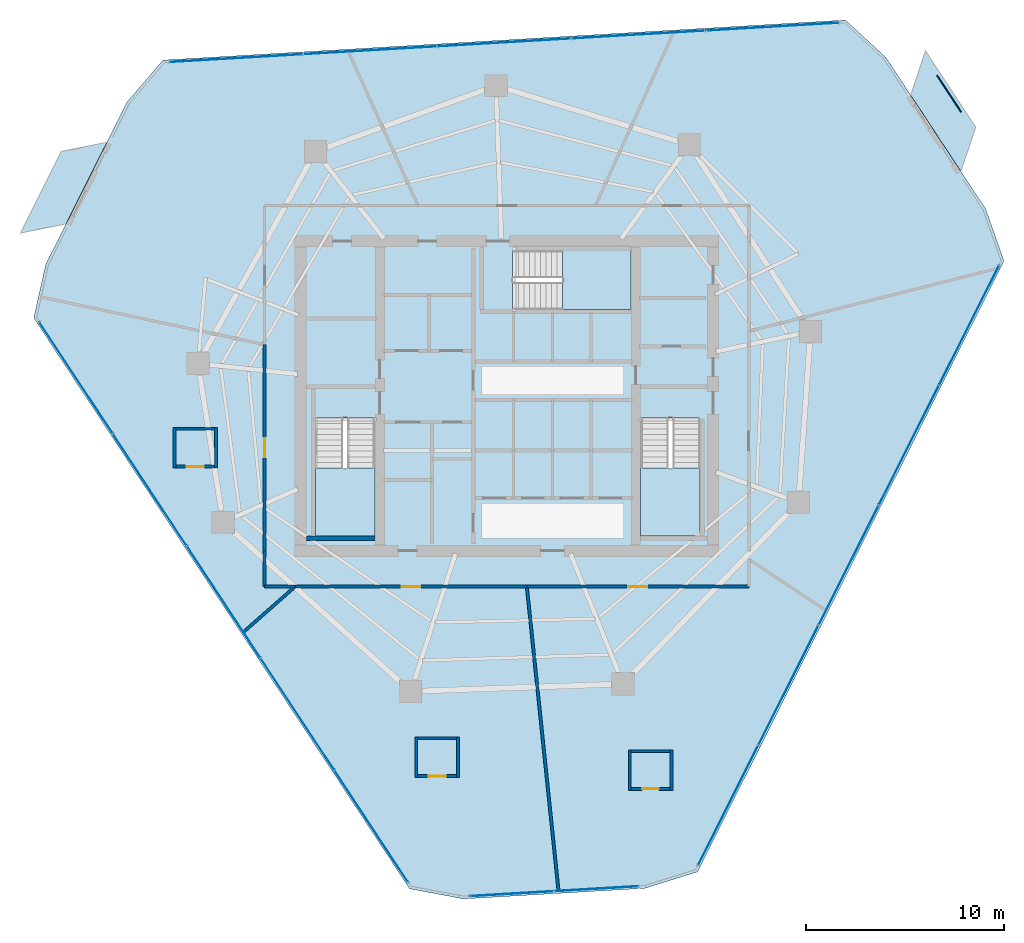
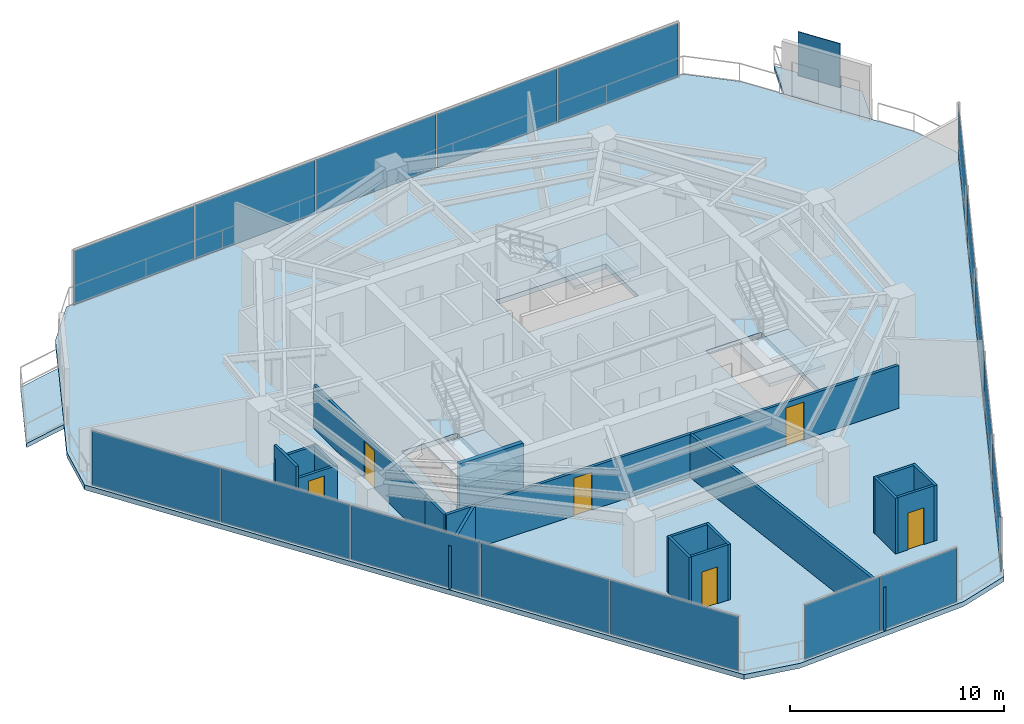
# One storey, part 24 of 30: 20 walls, 18 plates, 6 doors, 6 slabs, 6 openings, 7 elements without a shape of their own.
"""IFC4 building model written with IfcOpenShell, lengths in metres."""

from ifc_helpers import new_model, si_unit, direction, frame, frame_2d, origin, origin_2d, place, context, subcontext, project, spatial, polyline, rectangle, outline, extrude, material, layer, layer_set, type_object, element, fill, aggregate, save


model = new_model("IFC4")

# Units and contexts
model_context = context("Model", 3, precision=1e-05, world=origin(), true_north=direction((0.0, 1.0)))
body_context = subcontext(model_context, "Body", "Model", "MODEL_VIEW")
ifc_project = project(units=[si_unit("LENGTHUNIT", "METRE"), si_unit("AREAUNIT", "SQUARE_METRE"), si_unit("VOLUMEUNIT", "CUBIC_METRE"), si_unit("PLANEANGLEUNIT", "RADIAN"), si_unit("MASSUNIT", "GRAM", prefix="KILO")], contexts=[model_context])

# Site, building, storey
site_placement = place(None, origin())
site = spatial("IfcSite", under=ifc_project, at=site_placement, CompositionType="ELEMENT")
building_placement = place(site_placement, origin())
building = spatial("IfcBuilding", under=site, at=building_placement, Name="Qarnah Convention Tower", CompositionType="ELEMENT")
storey_placement = place(building_placement, frame((0.0, 0.0, 79.800048828125)))
storey = spatial("IfcBuildingStorey", under=building, at=storey_placement, Name="L20", CompositionType="ELEMENT", Elevation=79.800048828125)

# Curtain wall, plates
ifc_material_1 = material(Name="Tempered Low-E dark glass", Category="glass")
ifc_layer_1 = layer(ifc_material_1, 0.169921875)
ifc_layer_set_1 = layer_set([ifc_layer_1], Name="Tempered Low-E dark glass")
curtain_wall_type = type_object("IfcCurtainWallType", Name="CWS-02", PredefinedType="NOTDEFINED", material=ifc_layer_set_1)
curtain_wall_1_placement = place(storey_placement, origin())
curtain_wall_1 = element("IfcCurtainWall", 1, at=curtain_wall_1_placement, inside=storey, type_object=curtain_wall_type, Name="L20 unitised curtain wall CW-L20-F1", PredefinedType="NOTDEFINED")
ifc_layer_2 = layer(ifc_material_1, 0.030029296875)
ifc_layer_set_2 = layer_set([ifc_layer_2], Name="Tempered Low-E dark glass")
plate_type_1 = type_object("IfcPlateType", Name="PNL-T2", PredefinedType="CURTAIN_PANEL", material=ifc_layer_set_2)
plate_1_placement = place(storey_placement, frame((23.56201171875, 43.430419921875, 0.0400390625), z_axis=(0.0, 0.0, 1.0), x_axis=(0.998280582188, 0.058616373356, 0.0)))
plate_1 = element("IfcPlate", 2, at=plate_1_placement, type_object=plate_type_1, Name="CW-L20-F1 curtain panel 1.1", PredefinedType="CURTAIN_PANEL", context=body_context, shape_type="SweptSolid", body=[
    extrude(rectangle(XDim=6.689453125, YDim=0.030029296875, at=origin_2d()), origin(), (0.0, 0.0, 1.0), 3.090087890625),
])
plate_2_placement = place(storey_placement, frame((30.319580078125, 43.8271484375, 0.0400390625), z_axis=(0.0, 0.0, 1.0), x_axis=(0.998280582188, 0.058616373356, 0.0)))
plate_2 = element("IfcPlate", 3, at=plate_2_placement, type_object=plate_type_1, Name="CW-L20-F1 curtain panel 2.1", PredefinedType="CURTAIN_PANEL", context=body_context, shape_type="SweptSolid", body=[
    extrude(rectangle(XDim=6.689453125, YDim=0.030029296875, at=origin_2d()), origin(), (0.0, 0.0, 1.0), 3.090087890625),
])
plate_3_placement = place(storey_placement, frame((37.077392578125, 44.22412109375, 0.0400390625), z_axis=(0.0, 0.0, 1.0), x_axis=(0.998280582188, 0.058616373356, 0.0)))
plate_3 = element("IfcPlate", 4, at=plate_3_placement, type_object=plate_type_1, Name="CW-L20-F1 curtain panel 3.1", PredefinedType="CURTAIN_PANEL", context=body_context, shape_type="SweptSolid", body=[
    extrude(rectangle(XDim=6.689453125, YDim=0.030029296875, at=origin_2d()), origin(), (0.0, 0.0, 1.0), 3.090087890625),
])
plate_4_placement = place(storey_placement, frame((43.835205078125, 44.620849609375, 0.0400390625), z_axis=(0.0, 0.0, 1.0), x_axis=(0.998280582188, 0.058616373356, 0.0)))
plate_4 = element("IfcPlate", 5, at=plate_4_placement, type_object=plate_type_1, Name="CW-L20-F1 curtain panel 4.1", PredefinedType="CURTAIN_PANEL", context=body_context, shape_type="SweptSolid", body=[
    extrude(rectangle(XDim=6.689453125, YDim=0.030029296875, at=origin_2d()), origin(), (0.0, 0.0, 1.0), 3.090087890625),
])
plate_5_placement = place(storey_placement, frame((50.593017578125, 45.017578125, 0.0400390625), z_axis=(0.0, 0.0, 1.0), x_axis=(0.998280582188, 0.058616373356, 0.0)))
plate_5 = element("IfcPlate", 6, at=plate_5_placement, type_object=plate_type_1, Name="CW-L20-F1 curtain panel 5.1", PredefinedType="CURTAIN_PANEL", context=body_context, shape_type="SweptSolid", body=[
    extrude(rectangle(XDim=6.689453125, YDim=0.030029296875, at=origin_2d()), origin(), (0.0, 0.0, 1.0), 3.090087890625),
])
aggregate(curtain_wall_1, [plate_1, plate_2, plate_3, plate_4, plate_5])

curtain_wall_2_placement = place(storey_placement, origin())
curtain_wall_2 = element("IfcCurtainWall", 7, at=curtain_wall_2_placement, inside=storey, type_object=curtain_wall_type, Name="L20 unitised curtain wall CW-L20-F2", PredefinedType="NOTDEFINED")
plate_6_placement = place(storey_placement, frame((60.500244140625, 29.968505859375, 0.0400390625), z_axis=(0.0, 0.0, 1.0), x_axis=(-0.44839497881, -0.893835523448, 0.0)))
plate_6 = element("IfcPlate", 8, at=plate_6_placement, type_object=plate_type_1, Name="CW-L20-F2 curtain panel 1.1", PredefinedType="CURTAIN_PANEL", context=body_context, shape_type="SweptSolid", body=[
    extrude(rectangle(XDim=6.689453125, YDim=0.030029296875, at=origin_2d()), origin(), (0.0, 0.0, 1.0), 3.090087890625),
])
plate_7_placement = place(storey_placement, frame((57.46484375, 23.917724609375, 0.0400390625), z_axis=(0.0, 0.0, 1.0), x_axis=(-0.44839497881, -0.893835523448, 0.0)))
plate_7 = element("IfcPlate", 9, at=plate_7_placement, type_object=plate_type_1, Name="CW-L20-F2 curtain panel 2.1", PredefinedType="CURTAIN_PANEL", context=body_context, shape_type="SweptSolid", body=[
    extrude(rectangle(XDim=6.689453125, YDim=0.030029296875, at=origin_2d()), origin(), (0.0, 0.0, 1.0), 3.090087890625),
])
plate_8_placement = place(storey_placement, frame((54.429443359375, 17.866943359375, 0.0400390625), z_axis=(0.0, 0.0, 1.0), x_axis=(-0.44839497881, -0.893835523448, 0.0)))
plate_8 = element("IfcPlate", 10, at=plate_8_placement, type_object=plate_type_1, Name="CW-L20-F2 curtain panel 3.1", PredefinedType="CURTAIN_PANEL", context=body_context, shape_type="SweptSolid", body=[
    extrude(rectangle(XDim=6.689453125, YDim=0.030029296875, at=origin_2d()), origin(), (0.0, 0.0, 1.0), 3.090087890625),
])
plate_9_placement = place(storey_placement, frame((51.39404296875, 11.816162109375, 0.0400390625), z_axis=(0.0, 0.0, 1.0), x_axis=(-0.44839497881, -0.893835523448, 0.0)))
plate_9 = element("IfcPlate", 11, at=plate_9_placement, type_object=plate_type_1, Name="CW-L20-F2 curtain panel 4.1", PredefinedType="CURTAIN_PANEL", context=body_context, shape_type="SweptSolid", body=[
    extrude(rectangle(XDim=6.689453125, YDim=0.030029296875, at=origin_2d()), origin(), (0.0, 0.0, 1.0), 3.090087890625),
])
plate_10_placement = place(storey_placement, frame((48.358642578125, 5.765380859375, 0.0400390625), z_axis=(0.0, 0.0, 1.0), x_axis=(-0.44839497881, -0.893835523448, 0.0)))
plate_10 = element("IfcPlate", 12, at=plate_10_placement, type_object=plate_type_1, Name="CW-L20-F2 curtain panel 5.1", PredefinedType="CURTAIN_PANEL", context=body_context, shape_type="SweptSolid", body=[
    extrude(rectangle(XDim=6.689453125, YDim=0.030029296875, at=origin_2d()), origin(), (0.0, 0.0, 1.0), 3.090087890625),
])
aggregate(curtain_wall_2, [plate_6, plate_7, plate_8, plate_9, plate_10])

curtain_wall_3_placement = place(storey_placement, origin())
curtain_wall_3 = element("IfcCurtainWall", 13, at=curtain_wall_3_placement, inside=storey, type_object=curtain_wall_type, Name="L20 unitised curtain wall CW-L20-F3", PredefinedType="NOTDEFINED")
plate_11_placement = place(storey_placement, frame((30.372802734375, 4.7099609375, 0.0400390625), z_axis=(0.0, 0.0, 1.0), x_axis=(-0.549904609076, 0.835227466572, 0.0)))
plate_11 = element("IfcPlate", 14, at=plate_11_placement, type_object=plate_type_1, Name="CW-L20-F3 curtain panel 1.1", PredefinedType="CURTAIN_PANEL", context=body_context, shape_type="SweptSolid", body=[
    extrude(rectangle(XDim=6.689208984375, YDim=0.030029296875, at=origin_2d()), origin(), (0.0, 0.0, 1.0), 3.090087890625),
])
plate_12_placement = place(storey_placement, frame((26.650390625, 10.36376953125, 0.0400390625), z_axis=(0.0, 0.0, 1.0), x_axis=(-0.549904609076, 0.835227466572, 0.0)))
plate_12 = element("IfcPlate", 15, at=plate_12_placement, type_object=plate_type_1, Name="CW-L20-F3 curtain panel 2.1", PredefinedType="CURTAIN_PANEL", context=body_context, shape_type="SweptSolid", body=[
    extrude(rectangle(XDim=6.689208984375, YDim=0.030029296875, at=origin_2d()), origin(), (0.0, 0.0, 1.0), 3.090087890625),
])
plate_13_placement = place(storey_placement, frame((22.927978515625, 16.017578125, 0.0400390625), z_axis=(0.0, 0.0, 1.0), x_axis=(-0.549904609076, 0.835227466572, 0.0)))
plate_13 = element("IfcPlate", 16, at=plate_13_placement, type_object=plate_type_1, Name="CW-L20-F3 curtain panel 3.1", PredefinedType="CURTAIN_PANEL", context=body_context, shape_type="SweptSolid", body=[
    extrude(rectangle(XDim=6.689208984375, YDim=0.030029296875, at=origin_2d()), origin(), (0.0, 0.0, 1.0), 3.090087890625),
])
plate_14_placement = place(storey_placement, frame((19.20556640625, 21.67138671875, 0.0400390625), z_axis=(0.0, 0.0, 1.0), x_axis=(-0.549904609076, 0.835227466572, 0.0)))
plate_14 = element("IfcPlate", 17, at=plate_14_placement, type_object=plate_type_1, Name="CW-L20-F3 curtain panel 4.1", PredefinedType="CURTAIN_PANEL", context=body_context, shape_type="SweptSolid", body=[
    extrude(rectangle(XDim=6.689208984375, YDim=0.030029296875, at=origin_2d()), origin(), (0.0, 0.0, 1.0), 3.090087890625),
])
plate_15_placement = place(storey_placement, frame((15.483154296875, 27.3251953125, 0.0400390625), z_axis=(0.0, 0.0, 1.0), x_axis=(-0.549904609076, 0.835227466572, 0.0)))
plate_15 = element("IfcPlate", 18, at=plate_15_placement, type_object=plate_type_1, Name="CW-L20-F3 curtain panel 5.1", PredefinedType="CURTAIN_PANEL", context=body_context, shape_type="SweptSolid", body=[
    extrude(rectangle(XDim=6.689208984375, YDim=0.030029296875, at=origin_2d()), origin(), (0.0, 0.0, 1.0), 3.090087890625),
])
aggregate(curtain_wall_3, [plate_11, plate_12, plate_13, plate_14, plate_15])

curtain_wall_4_placement = place(storey_placement, origin())
curtain_wall_4 = element("IfcCurtainWall", 19, at=curtain_wall_4_placement, inside=storey, type_object=curtain_wall_type, Name="L20 unitised curtain wall CW-L20-F4", PredefinedType="NOTDEFINED")
plate_16_placement = place(storey_placement, frame((41.72216796875, 1.565673828125, 0.0400390625), z_axis=(0.0, 0.0, 1.0), x_axis=(-0.99828162554, -0.058598601598, 0.0)))
plate_16 = element("IfcPlate", 20, at=plate_16_placement, type_object=plate_type_1, Name="CW-L20-F4 curtain panel 1.1", PredefinedType="CURTAIN_PANEL", context=body_context, shape_type="SweptSolid", body=[
    extrude(rectangle(XDim=4.19482421875, YDim=0.030029296875, at=origin_2d()), origin(), (0.0, 0.0, 1.0), 3.090087890625),
])
plate_17_placement = place(storey_placement, frame((37.454833984375, 1.315185546875, 0.0400390625), z_axis=(0.0, 0.0, 1.0), x_axis=(-0.99828162554, -0.058598601598, 0.0)))
plate_17 = element("IfcPlate", 21, at=plate_17_placement, type_object=plate_type_1, Name="CW-L20-F4 curtain panel 2.1", PredefinedType="CURTAIN_PANEL", context=body_context, shape_type="SweptSolid", body=[
    extrude(rectangle(XDim=4.19482421875, YDim=0.030029296875, at=origin_2d()), origin(), (0.0, 0.0, 1.0), 3.090087890625),
])
aggregate(curtain_wall_4, [plate_16, plate_17])

# Plate
ifc_material_2 = material(Name="Black anodised aluminium", Category="aluminium")
ifc_layer_3 = layer(ifc_material_2, 0.044921875)
ifc_layer_set_3 = layer_set([ifc_layer_3], Name="Black anodised aluminium")
plate_type_2 = type_object("IfcPlateType", Name="SCR-BAL-18", PredefinedType="USERDEFINED", material=ifc_layer_set_3)
plate_18_placement = place(storey_placement, frame((59.492919921875, 41.64501953125, 0.0), z_axis=(0.0, 0.0, 1.0), x_axis=(0.549823424552, -0.835280911917, 0.0)))
element("IfcPlate", 22, at=plate_18_placement, inside=storey, type_object=plate_type_2, Name="L20 perforated desert solar screen BAL-L20-C1", ObjectType="SCREEN", PredefinedType="USERDEFINED", context=body_context, shape_type="SweptSolid", body=[
    extrude(rectangle(XDim=2.199951171875, YDim=0.044921875, at=origin_2d()), origin(), (0.0, 0.0, 1.0), 2.5),
])

# Slabs
ifc_material_3 = material(Name="Concrete C45/55", Category="concrete")
ifc_layer_4 = layer(ifc_material_3, 0.239990234375)
ifc_layer_set_4 = layer_set([ifc_layer_4], Name="Concrete C45/55")
slab_type_1 = type_object("IfcSlabType", Name="SLB-BAL-240", PredefinedType="USERDEFINED", material=ifc_layer_set_4)
slab_1_placement = place(storey_placement, frame((0.0, 0.0, -0.239990234375)))
element("IfcSlab", 23, at=slab_1_placement, inside=storey, type_object=slab_type_1, Name="L20 cantilevered balcony slab BAL-L20-C1", ObjectType="BALCONY", PredefinedType="USERDEFINED", context=body_context, shape_type="SweptSolid", body=[
    extrude(outline(polyline([(58.304931640625, 43.79296875), (60.833984375, 39.950927734375), (60.083984375, 37.72705078125), (57.553955078125, 41.569091796875), (58.304931640625, 43.79296875)])), origin(), (0.0, 0.0, 1.0), 0.239990234375),
])
slab_2_placement = place(storey_placement, frame((0.0, 0.0, -0.239990234375)))
element("IfcSlab", 24, at=slab_2_placement, inside=storey, type_object=slab_type_1, Name="L20 cantilevered balcony slab BAL-L20-C2", ObjectType="BALCONY", PredefinedType="USERDEFINED", context=body_context, shape_type="SweptSolid", body=[
    extrude(outline(polyline([(12.68701171875, 34.615966796875), (14.75, 38.72802734375), (17.050048828125, 39.18994140625), (14.988037109375, 35.0791015625), (12.68701171875, 34.615966796875)])), origin(), (0.0, 0.0, 1.0), 0.239990234375),
])

# Stair, slab
ifc_material_4 = material(Name="Concrete C50/60", Category="concrete")
stair_type = type_object("IfcStairType", Name="STR-HTL", PredefinedType="HALF_TURN_STAIR", material=ifc_material_4)
stair_1_placement = place(storey_placement, origin())
stair_1 = element("IfcStair", 25, at=stair_1_placement, inside=storey, type_object=stair_type, Name="L20 Core exit stair ST-1", PredefinedType="HALF_TURN_STAIR")
ifc_layer_5 = layer(ifc_material_4, 0.199951171875)
ifc_layer_set_5 = layer_set([ifc_layer_5], Name="Concrete C50/60")
slab_type_2 = type_object("IfcSlabType", Name="SLB-LANDING-200", PredefinedType="LANDING", material=ifc_layer_set_5)
slab_3_placement = place(storey_placement, frame((0.0, 0.0, 1.52490234375)))
slab_3 = element("IfcSlab", 26, at=slab_3_placement, type_object=slab_type_2, Name="ST-1 landing 1", PredefinedType="LANDING", context=body_context, shape_type="SweptSolid", body=[
    extrude(outline(polyline([(27.550048828125, 22.780029296875), (27.550048828125, 19.35009765625), (30.550048828125, 19.35009765625), (30.550048828125, 22.780029296875), (27.550048828125, 22.780029296875)])), origin(), (0.0, 0.0, 1.0), 0.199951171875),
])
aggregate(stair_1, [slab_3])

stair_2_placement = place(storey_placement, origin())
stair_2 = element("IfcStair", 27, at=stair_2_placement, inside=storey, type_object=stair_type, Name="L20 Core exit stair ST-2", PredefinedType="HALF_TURN_STAIR")
slab_4_placement = place(storey_placement, frame((0.0, 0.0, 1.52490234375)))
slab_4 = element("IfcSlab", 28, at=slab_4_placement, type_object=slab_type_2, Name="ST-2 landing 1", PredefinedType="LANDING", context=body_context, shape_type="SweptSolid", body=[
    extrude(outline(polyline([(43.949951171875, 22.780029296875), (43.949951171875, 19.35009765625), (46.949951171875, 19.35009765625), (46.949951171875, 22.780029296875), (43.949951171875, 22.780029296875)])), origin(), (0.0, 0.0, 1.0), 0.199951171875),
])
aggregate(stair_2, [slab_4])

stair_3_placement = place(storey_placement, origin())
stair_3 = element("IfcStair", 29, at=stair_3_placement, inside=storey, type_object=stair_type, Name="L20 Core exit stair ST-3", PredefinedType="HALF_TURN_STAIR")
slab_5_placement = place(storey_placement, frame((0.0, 0.0, 1.52490234375)))
slab_5 = element("IfcSlab", 30, at=slab_5_placement, type_object=slab_type_2, Name="ST-3 landing 1", PredefinedType="LANDING", context=body_context, shape_type="SweptSolid", body=[
    extrude(outline(polyline([(40.02001953125, 30.75), (43.449951171875, 30.75), (43.449951171875, 33.75), (40.02001953125, 33.75), (40.02001953125, 30.75)])), origin(), (0.0, 0.0, 1.0), 0.199951171875),
])
aggregate(stair_3, [slab_5])

# Slab
ifc_layer_6 = layer(ifc_material_3, 0.280029296875)
ifc_layer_set_6 = layer_set([ifc_layer_6], Name="Concrete C45/55")
slab_type_3 = type_object("IfcSlabType", Name="SLB-TWR-280", PredefinedType="FLOOR", material=ifc_layer_set_6)
slab_6_placement = place(storey_placement, frame((0.0, 0.0, -0.280029296875)))
element("IfcSlab", 31, at=slab_6_placement, inside=storey, type_object=slab_type_3, Name="L20 structural floor slab", PredefinedType="FLOOR", context=body_context, shape_type="SweptSolid", body=[
    extrude(outline(polyline([(54.263916015625, 45.35302734375), (19.8759765625, 43.333984375), (18.06689453125, 41.22607421875), (13.965087890625, 33.048095703125), (13.35693359375, 30.3369140625), (32.299072265625, 1.56591796875), (35.029052734375, 1.052978515625), (44.1630859375, 1.589111328125), (46.81396484375, 2.41796875), (62.260009765625, 33.2080078125), (61.339111328125, 35.8291015625), (56.306884765625, 43.470947265625), (54.263916015625, 45.35302734375)]), holes=[polyline([(27.550048828125, 25.300048828125), (27.550048828125, 19.35009765625), (30.550048828125, 19.35009765625), (30.550048828125, 25.300048828125), (27.550048828125, 25.300048828125)]), polyline([(43.949951171875, 25.300048828125), (43.949951171875, 19.35009765625), (46.949951171875, 19.35009765625), (46.949951171875, 25.300048828125), (43.949951171875, 25.300048828125)]), polyline([(37.5, 30.75), (43.449951171875, 30.75), (43.449951171875, 33.75), (37.5, 33.75), (37.5, 30.75)])]), origin(), (0.0, 0.0, 1.0), 0.280029296875),
])

# Walls
ifc_material_5 = material(Name="Concrete C60/75", Category="concrete")
ifc_layer_7 = layer(ifc_material_5, 0.219970703125)
ifc_layer_set_7 = layer_set([ifc_layer_7], Name="Concrete C60/75")
wall_type_1 = type_object("IfcWallType", Name="WL-CORE-STAIR-220", PredefinedType="SHEAR", material=ifc_layer_set_7)
wall_1_placement = place(storey_placement, frame((27.10009765625, 19.239990234375, 0.0), z_axis=(0.0, 0.0, 1.0), x_axis=(1.0, 0.0, 0.0)))
element("IfcWall", 32, at=wall_1_placement, inside=storey, type_object=wall_type_1, Name="L20 stair shaft shear wall SW-L20-ST1S", PredefinedType="SHEAR", context=body_context, shape_type="SweptSolid", body=[
    extrude(rectangle(XDim=3.449951171875, YDim=0.219970703125, at=frame_2d((1.72509765625, 0.0))), origin(), (0.0, 0.0, 1.0), 3.169921875),
])
ifc_material_6 = material(Name="Gypsum partition board")
ifc_layer_8 = layer(ifc_material_6, 0.14990234375)
ifc_layer_set_8 = layer_set([ifc_layer_8], Name="Gypsum partition board")
wall_type_2 = type_object("IfcWallType", Name="WL-SUITE-150", PredefinedType="PARTITIONING", material=ifc_layer_set_8)
wall_2_placement = place(storey_placement, frame((23.89501953125, 14.47509765625, 0.0), z_axis=(0.0, 0.0, 1.0), x_axis=(0.750846960114, 0.660476224013, 0.0)))
element("IfcWall", 33, at=wall_2_placement, inside=storey, type_object=wall_type_2, Name="L20 interior wall IW-L20-R-24", PredefinedType="PARTITIONING", context=body_context, shape_type="SweptSolid", body=[
    extrude(rectangle(XDim=3.52001953125, YDim=0.14990234375, at=frame_2d((1.760009765625, 0.0))), origin(), (0.0, 0.0, 1.0), 2.454833984375),
])
wall_3_placement = place(storey_placement, frame((26.5380859375, 16.800048828125, 0.0), z_axis=(0.0, 0.0, 1.0), x_axis=(-1.0, 0.0, 0.0)))
element("IfcWall", 34, at=wall_3_placement, inside=storey, type_object=wall_type_2, Name="L20 interior wall IW-L20-R-25", PredefinedType="PARTITIONING", context=body_context, shape_type="SweptSolid", body=[
    extrude(rectangle(XDim=1.5380859375, YDim=0.14990234375, at=frame_2d((0.76904296875, 0.0))), origin(), (0.0, 0.0, 1.0), 2.454833984375),
])
wall_4_placement = place(storey_placement, frame((25.0, 16.800048828125, 0.0), z_axis=(0.0, 0.0, 1.0), x_axis=(0.0, 1.0, 0.0)))
element("IfcWall", 35, at=wall_4_placement, inside=storey, type_object=wall_type_2, Name="L20 interior wall IW-L20-R-26", PredefinedType="PARTITIONING", context=body_context, shape_type="SweptSolid", body=[
    extrude(rectangle(XDim=1.800048828125, YDim=0.14990234375, at=frame_2d((0.89990234375, 0.0))), origin(), (0.0, 0.0, 1.0), 2.454833984375),
])

# Wall, opening, door
wall_5_placement = place(storey_placement, frame((25.0, 18.60009765625, 0.0), z_axis=(0.0, 0.0, 1.0), x_axis=(0.0, 1.0, 0.0)))
wall_5 = element("IfcWall", 36, at=wall_5_placement, inside=storey, type_object=wall_type_2, Name="L20 interior wall IW-L20-R-27", PredefinedType="PARTITIONING", context=body_context, shape_type="SweptSolid", body=[
    extrude(rectangle(XDim=10.392822265625, YDim=0.14990234375, at=frame_2d((5.1962890625, 0.0))), origin(), (0.0, 0.0, 1.0), 2.467041015625),
])
opening_1_placement = place(wall_5_placement, frame((4.720947265625, 0.0, 0.0)))
opening_1 = element("IfcOpeningElement", 37, at=opening_1_placement, cuts=wall_5, Name="Opening D-2019", PredefinedType="OPENING", context=body_context, shape_type="SweptSolid", body=[
    extrude(rectangle(XDim=0.949951171875, YDim=2.14990234375, at=frame_2d((0.47509765625, 1.074951171875))), frame((0.0, 0.0849609375, 0.0), z_axis=(0.0, -1.0, 0.0), x_axis=(1.0, 0.0, 0.0)), (0.0, 0.0, 1.0), 0.169921875),
])
ifc_material_7 = material(Name="Oak timber veneer", Category="wood")
door_type_1 = type_object("IfcDoorType", Name="DT-HOTEL-950", OperationType="NOTDEFINED", PredefinedType="DOOR", material=ifc_material_7)
door_1_placement = place(opening_1_placement, origin())
door_1 = element("IfcDoor", 38, at=door_1_placement, inside=storey, type_object=door_type_1, Name="Door D-2019", OperationType="SINGLE_SWING_RIGHT", OverallHeight=2.14990234375, OverallWidth=0.949951171875, PredefinedType="DOOR", context=body_context, shape_type="SweptSolid", body=[
    extrude(rectangle(XDim=0.949951171875, YDim=2.14990234375, at=frame_2d((0.47509765625, 1.074951171875))), frame((0.0, 0.02490234375, 0.0), z_axis=(0.0, -1.0, 0.0), x_axis=(1.0, 0.0, 0.0)), (0.0, 0.0, 1.0), 0.050048828125),
])
fill(opening_1, door_1)

# Wall
wall_6_placement = place(storey_placement, frame((39.81298828125, 1.4140625, 0.0), z_axis=(0.0, 0.0, 1.0), x_axis=(-0.103689026826, 0.994609765544, 0.0)))
element("IfcWall", 39, at=wall_6_placement, inside=storey, type_object=wall_type_2, Name="L20 interior wall IW-L20-R-28", PredefinedType="PARTITIONING", context=body_context, shape_type="SweptSolid", body=[
    extrude(rectangle(XDim=15.469482421875, YDim=0.14990234375, at=frame_2d((7.73486328125, 0.0))), origin(), (0.0, 0.0, 1.0), 2.454833984375),
])

# Wall, opening, door
wall_7_placement = place(storey_placement, frame((38.208984375, 16.800048828125, 0.0), z_axis=(0.0, 0.0, 1.0), x_axis=(-1.0, 0.0, 0.0)))
wall_7 = element("IfcWall", 40, at=wall_7_placement, inside=storey, type_object=wall_type_2, Name="L20 interior wall IW-L20-R-29", PredefinedType="PARTITIONING", context=body_context, shape_type="SweptSolid", body=[
    extrude(rectangle(XDim=11.6708984375, YDim=0.14990234375, at=frame_2d((5.83544921875, 0.0))), origin(), (0.0, 0.0, 1.0), 2.454833984375),
])
opening_2_placement = place(wall_7_placement, frame((5.361083984375, 0.0, 0.0)))
opening_2 = element("IfcOpeningElement", 41, at=opening_2_placement, cuts=wall_7, Name="Opening D-2021", PredefinedType="OPENING", context=body_context, shape_type="SweptSolid", body=[
    extrude(rectangle(XDim=0.949951171875, YDim=2.14990234375, at=frame_2d((0.47509765625, 1.074951171875))), frame((0.0, 0.0849609375, 0.0), z_axis=(0.0, -1.0, 0.0), x_axis=(1.0, 0.0, 0.0)), (0.0, 0.0, 1.0), 0.169921875),
])
door_2_placement = place(opening_2_placement, origin())
door_2 = element("IfcDoor", 42, at=door_2_placement, inside=storey, type_object=door_type_1, Name="Door D-2021", OperationType="SINGLE_SWING_RIGHT", OverallHeight=2.14990234375, OverallWidth=0.949951171875, PredefinedType="DOOR", context=body_context, shape_type="SweptSolid", body=[
    extrude(rectangle(XDim=0.949951171875, YDim=2.14990234375, at=frame_2d((0.47509765625, 1.074951171875))), frame((0.0, 0.02490234375, 0.0), z_axis=(0.0, -1.0, 0.0), x_axis=(1.0, 0.0, 0.0)), (0.0, 0.0, 1.0), 0.050048828125),
])
fill(opening_2, door_2)

wall_8_placement = place(storey_placement, frame((49.39990234375, 16.800048828125, 0.0), z_axis=(0.0, 0.0, 1.0), x_axis=(-1.0, 0.0, 0.0)))
wall_8 = element("IfcWall", 43, at=wall_8_placement, inside=storey, type_object=wall_type_2, Name="L20 interior wall IW-L20-R-32", PredefinedType="PARTITIONING", context=body_context, shape_type="SweptSolid", body=[
    extrude(rectangle(XDim=11.19091796875, YDim=0.14990234375, at=frame_2d((5.595458984375, 0.0))), origin(), (0.0, 0.0, 1.0), 2.454833984375),
])
opening_3_placement = place(wall_8_placement, frame((5.1201171875, 0.0, 0.0)))
opening_3 = element("IfcOpeningElement", 44, at=opening_3_placement, cuts=wall_8, Name="Opening D-2023", PredefinedType="OPENING", context=body_context, shape_type="SweptSolid", body=[
    extrude(rectangle(XDim=0.949951171875, YDim=2.14990234375, at=frame_2d((0.47509765625, 1.074951171875))), frame((0.0, 0.0849609375, 0.0), z_axis=(0.0, -1.0, 0.0), x_axis=(1.0, 0.0, 0.0)), (0.0, 0.0, 1.0), 0.169921875),
])
door_3_placement = place(opening_3_placement, origin())
door_3 = element("IfcDoor", 45, at=door_3_placement, inside=storey, type_object=door_type_1, Name="Door D-2023", OperationType="SINGLE_SWING_RIGHT", OverallHeight=2.14990234375, OverallWidth=0.949951171875, PredefinedType="DOOR", context=body_context, shape_type="SweptSolid", body=[
    extrude(rectangle(XDim=0.949951171875, YDim=2.14990234375, at=frame_2d((0.47509765625, 1.074951171875))), frame((0.0, 0.02490234375, 0.0), z_axis=(0.0, -1.0, 0.0), x_axis=(1.0, 0.0, 0.0)), (0.0, 0.0, 1.0), 0.050048828125),
])
fill(opening_3, door_3)

ifc_layer_9 = layer(ifc_material_6, 0.139892578125)
ifc_layer_set_9 = layer_set([ifc_layer_9], Name="Gypsum partition board")
wall_type_3 = type_object("IfcWallType", Name="WL-WET-140", PredefinedType="PARTITIONING", material=ifc_layer_set_9)
wall_9_placement = place(storey_placement, frame((20.37890625, 22.846923828125, 0.0), z_axis=(0.0, 0.0, 1.0), x_axis=(1.0, 0.0, 0.0)))
wall_9 = element("IfcWall", 46, at=wall_9_placement, inside=storey, type_object=wall_type_3, Name="L20 interior wall IW-L20-ENS03-1", PredefinedType="PARTITIONING", context=body_context, shape_type="SweptSolid", body=[
    extrude(rectangle(XDim=2.239990234375, YDim=0.139892578125, at=frame_2d((1.1201171875, 0.0))), origin(), (0.0, 0.0, 1.0), 2.454833984375),
])
opening_4_placement = place(wall_9_placement, frame((0.695068359375, 0.0, 0.0)))
opening_4 = element("IfcOpeningElement", 47, at=opening_4_placement, cuts=wall_9, Name="Opening D-2020", PredefinedType="OPENING", context=body_context, shape_type="SweptSolid", body=[
    extrude(rectangle(XDim=0.85009765625, YDim=2.10009765625, at=frame_2d((0.425048828125, 1.050048828125))), frame((0.0, 0.079833984375, 0.0), z_axis=(0.0, -1.0, 0.0), x_axis=(1.0, 0.0, 0.0)), (0.0, 0.0, 1.0), 0.159912109375),
])
door_type_2 = type_object("IfcDoorType", Name="DT-BATH-850", OperationType="NOTDEFINED", PredefinedType="DOOR", material=ifc_material_7)
door_4_placement = place(opening_4_placement, origin())
door_4 = element("IfcDoor", 48, at=door_4_placement, inside=storey, type_object=door_type_2, Name="Door D-2020", OperationType="SINGLE_SWING_LEFT", OverallHeight=2.10009765625, OverallWidth=0.85009765625, PredefinedType="DOOR", context=body_context, shape_type="SweptSolid", body=[
    extrude(rectangle(XDim=0.85009765625, YDim=2.10009765625, at=frame_2d((0.425048828125, 1.050048828125))), frame((0.0, 0.02490234375, 0.0), z_axis=(0.0, -1.0, 0.0), x_axis=(1.0, 0.0, 0.0)), (0.0, 0.0, 1.0), 0.050048828125),
])
fill(opening_4, door_4)

# Walls
wall_10_placement = place(storey_placement, frame((22.549072265625, 22.777099609375, 0.0), z_axis=(0.0, 0.0, 1.0), x_axis=(0.0, 1.0, 0.0)))
element("IfcWall", 49, at=wall_10_placement, inside=storey, type_object=wall_type_3, Name="L20 interior wall IW-L20-ENS03-2", PredefinedType="PARTITIONING", context=body_context, shape_type="SweptSolid", body=[
    extrude(rectangle(XDim=2.039794921875, YDim=0.139892578125, at=frame_2d((1.02001953125, 0.0))), origin(), (0.0, 0.0, 1.0), 2.454833984375),
])
wall_11_placement = place(storey_placement, frame((22.618896484375, 24.7470703125, 0.0), z_axis=(0.0, 0.0, 1.0), x_axis=(-1.0, 0.0, 0.0)))
element("IfcWall", 50, at=wall_11_placement, inside=storey, type_object=wall_type_3, Name="L20 interior wall IW-L20-ENS03-3", PredefinedType="PARTITIONING", context=body_context, shape_type="SweptSolid", body=[
    extrude(rectangle(XDim=2.239990234375, YDim=0.139892578125, at=frame_2d((1.1201171875, 0.0))), origin(), (0.0, 0.0, 1.0), 2.454833984375),
])
wall_12_placement = place(storey_placement, frame((20.448974609375, 24.81689453125, 0.0), z_axis=(0.0, 0.0, 1.0), x_axis=(0.0, -1.0, 0.0)))
element("IfcWall", 51, at=wall_12_placement, inside=storey, type_object=wall_type_3, Name="L20 interior wall IW-L20-ENS03-4", PredefinedType="PARTITIONING", context=body_context, shape_type="SweptSolid", body=[
    extrude(rectangle(XDim=2.039794921875, YDim=0.139892578125, at=frame_2d((1.02001953125, 0.0))), origin(), (0.0, 0.0, 1.0), 3.169921875),
])

# Wall, opening, door
wall_13_placement = place(storey_placement, frame((32.571044921875, 7.248046875, 0.0), z_axis=(0.0, 0.0, 1.0), x_axis=(1.0, 0.0, 0.0)))
wall_13 = element("IfcWall", 52, at=wall_13_placement, inside=storey, type_object=wall_type_3, Name="L20 interior wall IW-L20-ENS04-1", PredefinedType="PARTITIONING", context=body_context, shape_type="SweptSolid", body=[
    extrude(rectangle(XDim=2.239990234375, YDim=0.139892578125, at=frame_2d((1.1201171875, 0.0))), origin(), (0.0, 0.0, 1.0), 3.169921875),
])
opening_5_placement = place(wall_13_placement, frame((0.695068359375, 0.0, 0.0)))
opening_5 = element("IfcOpeningElement", 53, at=opening_5_placement, cuts=wall_13, Name="Opening D-2022", PredefinedType="OPENING", context=body_context, shape_type="SweptSolid", body=[
    extrude(rectangle(XDim=0.85009765625, YDim=2.10009765625, at=frame_2d((0.425048828125, 1.050048828125))), frame((0.0, 0.079833984375, 0.0), z_axis=(0.0, -1.0, 0.0), x_axis=(1.0, 0.0, 0.0)), (0.0, 0.0, 1.0), 0.159912109375),
])
door_5_placement = place(opening_5_placement, origin())
door_5 = element("IfcDoor", 54, at=door_5_placement, inside=storey, type_object=door_type_2, Name="Door D-2022", OperationType="SINGLE_SWING_LEFT", OverallHeight=2.10009765625, OverallWidth=0.85009765625, PredefinedType="DOOR", context=body_context, shape_type="SweptSolid", body=[
    extrude(rectangle(XDim=0.85009765625, YDim=2.10009765625, at=frame_2d((0.425048828125, 1.050048828125))), frame((0.0, 0.02490234375, 0.0), z_axis=(0.0, -1.0, 0.0), x_axis=(1.0, 0.0, 0.0)), (0.0, 0.0, 1.0), 0.050048828125),
])
fill(opening_5, door_5)

# Walls
wall_14_placement = place(storey_placement, frame((34.740966796875, 7.177978515625, 0.0), z_axis=(0.0, 0.0, 1.0), x_axis=(0.0, 1.0, 0.0)))
element("IfcWall", 55, at=wall_14_placement, inside=storey, type_object=wall_type_3, Name="L20 interior wall IW-L20-ENS04-2", PredefinedType="PARTITIONING", context=body_context, shape_type="SweptSolid", body=[
    extrude(rectangle(XDim=2.0400390625, YDim=0.139892578125, at=frame_2d((1.02001953125, 0.0))), origin(), (0.0, 0.0, 1.0), 3.169921875),
])
wall_15_placement = place(storey_placement, frame((34.81103515625, 9.14794921875, 0.0), z_axis=(0.0, 0.0, 1.0), x_axis=(-1.0, 0.0, 0.0)))
element("IfcWall", 56, at=wall_15_placement, inside=storey, type_object=wall_type_3, Name="L20 interior wall IW-L20-ENS04-3", PredefinedType="PARTITIONING", context=body_context, shape_type="SweptSolid", body=[
    extrude(rectangle(XDim=2.239990234375, YDim=0.139892578125, at=frame_2d((1.1201171875, 0.0))), origin(), (0.0, 0.0, 1.0), 3.169921875),
])
wall_16_placement = place(storey_placement, frame((32.64111328125, 9.218017578125, 0.0), z_axis=(0.0, 0.0, 1.0), x_axis=(0.0, -1.0, 0.0)))
element("IfcWall", 57, at=wall_16_placement, inside=storey, type_object=wall_type_3, Name="L20 interior wall IW-L20-ENS04-4", PredefinedType="PARTITIONING", context=body_context, shape_type="SweptSolid", body=[
    extrude(rectangle(XDim=2.0400390625, YDim=0.139892578125, at=frame_2d((1.02001953125, 0.0))), origin(), (0.0, 0.0, 1.0), 3.169921875),
])

# Wall, opening, door
wall_17_placement = place(storey_placement, frame((43.324951171875, 6.60009765625, 0.0), z_axis=(0.0, 0.0, 1.0), x_axis=(1.0, 0.0, 0.0)))
wall_17 = element("IfcWall", 58, at=wall_17_placement, inside=storey, type_object=wall_type_3, Name="L20 interior wall IW-L20-ENS05-1", PredefinedType="PARTITIONING", context=body_context, shape_type="SweptSolid", body=[
    extrude(rectangle(XDim=2.239990234375, YDim=0.139892578125, at=frame_2d((1.1201171875, 0.0))), origin(), (0.0, 0.0, 1.0), 3.169921875),
])
opening_6_placement = place(wall_17_placement, frame((0.695068359375, 0.0, 0.0)))
opening_6 = element("IfcOpeningElement", 59, at=opening_6_placement, cuts=wall_17, Name="Opening D-2024", PredefinedType="OPENING", context=body_context, shape_type="SweptSolid", body=[
    extrude(rectangle(XDim=0.85009765625, YDim=2.10009765625, at=frame_2d((0.425048828125, 1.050048828125))), frame((0.0, 0.079833984375, 0.0), z_axis=(0.0, -1.0, 0.0), x_axis=(1.0, 0.0, 0.0)), (0.0, 0.0, 1.0), 0.159912109375),
])
door_6_placement = place(opening_6_placement, origin())
door_6 = element("IfcDoor", 60, at=door_6_placement, inside=storey, type_object=door_type_2, Name="Door D-2024", OperationType="SINGLE_SWING_LEFT", OverallHeight=2.10009765625, OverallWidth=0.85009765625, PredefinedType="DOOR", context=body_context, shape_type="SweptSolid", body=[
    extrude(rectangle(XDim=0.85009765625, YDim=2.10009765625, at=frame_2d((0.425048828125, 1.050048828125))), frame((0.0, 0.02490234375, 0.0), z_axis=(0.0, -1.0, 0.0), x_axis=(1.0, 0.0, 0.0)), (0.0, 0.0, 1.0), 0.050048828125),
])
fill(opening_6, door_6)

# Walls
wall_18_placement = place(storey_placement, frame((45.4951171875, 6.530029296875, 0.0), z_axis=(0.0, 0.0, 1.0), x_axis=(0.0, 1.0, 0.0)))
element("IfcWall", 61, at=wall_18_placement, inside=storey, type_object=wall_type_3, Name="L20 interior wall IW-L20-ENS05-2", PredefinedType="PARTITIONING", context=body_context, shape_type="SweptSolid", body=[
    extrude(rectangle(XDim=2.0400390625, YDim=0.139892578125, at=frame_2d((1.02001953125, 0.0))), origin(), (0.0, 0.0, 1.0), 3.169921875),
])
wall_19_placement = place(storey_placement, frame((45.56494140625, 8.5, 0.0), z_axis=(0.0, 0.0, 1.0), x_axis=(-1.0, 0.0, 0.0)))
element("IfcWall", 62, at=wall_19_placement, inside=storey, type_object=wall_type_3, Name="L20 interior wall IW-L20-ENS05-3", PredefinedType="PARTITIONING", context=body_context, shape_type="SweptSolid", body=[
    extrude(rectangle(XDim=2.239990234375, YDim=0.139892578125, at=frame_2d((1.1201171875, 0.0))), origin(), (0.0, 0.0, 1.0), 3.169921875),
])
wall_20_placement = place(storey_placement, frame((43.39501953125, 8.570068359375, 0.0), z_axis=(0.0, 0.0, 1.0), x_axis=(0.0, -1.0, 0.0)))
element("IfcWall", 63, at=wall_20_placement, inside=storey, type_object=wall_type_3, Name="L20 interior wall IW-L20-ENS05-4", PredefinedType="PARTITIONING", context=body_context, shape_type="SweptSolid", body=[
    extrude(rectangle(XDim=2.0400390625, YDim=0.139892578125, at=frame_2d((1.02001953125, 0.0))), origin(), (0.0, 0.0, 1.0), 3.169921875),
])

save(model, "model.ifc")
